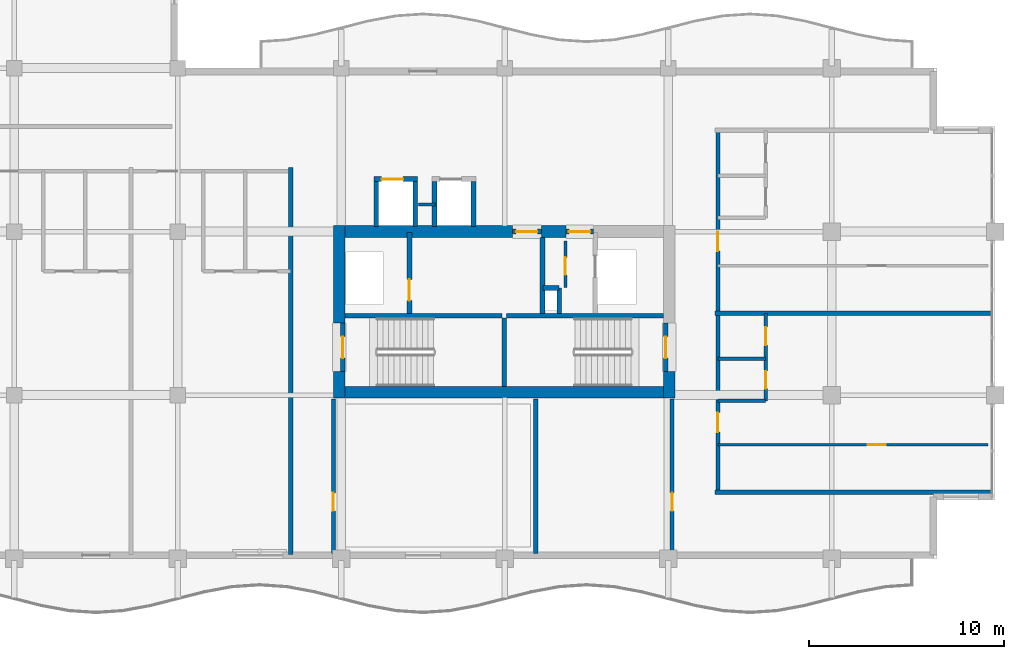
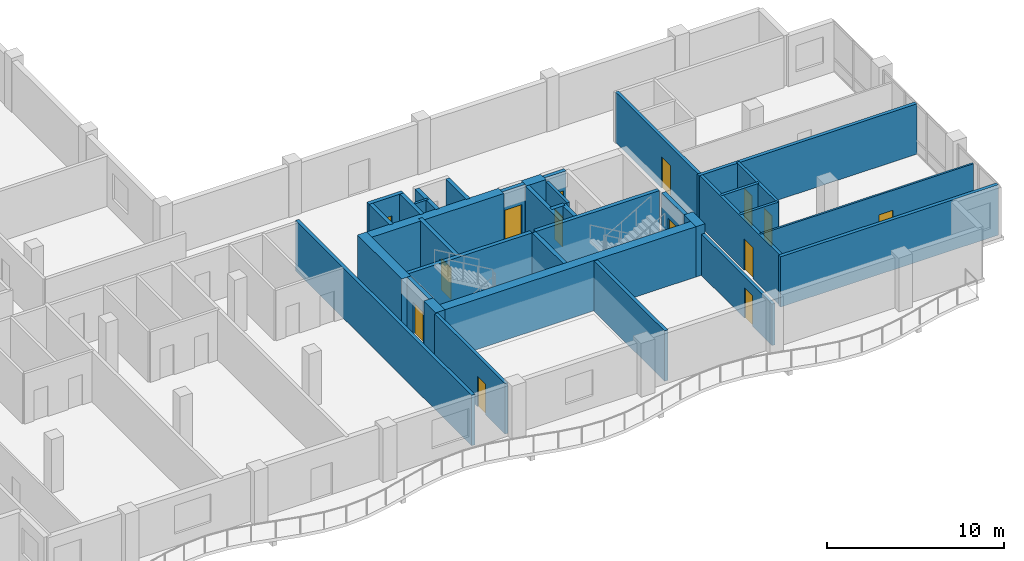
# One storey, part 7 of 16: 35 walls, 14 doors, 14 openings.
"""IFC4 building model written with IfcOpenShell, lengths in metres."""

from ifc_helpers import new_model, si_unit, direction, frame, frame_2d, origin, place, context, subcontext, project, spatial, rectangle, extrude, material, layer, layer_set, type_object, element, fill, save


model = new_model("IFC4")

# Units and contexts
model_context = context("Model", 3, precision=1e-05, world=origin(), true_north=direction((0.0, 1.0)))
body_context = subcontext(model_context, "Body", "Model", "MODEL_VIEW")
ifc_project = project(units=[si_unit("LENGTHUNIT", "METRE"), si_unit("AREAUNIT", "SQUARE_METRE"), si_unit("VOLUMEUNIT", "CUBIC_METRE"), si_unit("PLANEANGLEUNIT", "RADIAN"), si_unit("MASSUNIT", "GRAM", prefix="KILO")], contexts=[model_context])

# Site, building, storey
site_placement = place(None, origin())
site = spatial("IfcSite", under=ifc_project, at=site_placement, CompositionType="ELEMENT")
building_placement = place(site_placement, origin())
building = spatial("IfcBuilding", under=site, at=building_placement, Name="Koriwani Terraces Tower", CompositionType="ELEMENT")
storey_placement = place(building_placement, frame((0.0, 0.0, 245.300048828125)))
storey = spatial("IfcBuildingStorey", under=building, at=storey_placement, Name="L60", CompositionType="ELEMENT", Elevation=245.300048828125)

# Walls
ifc_material_1 = material(Name="Concrete C60/75", Category="concrete")
ifc_layer_1 = layer(ifc_material_1, 0.60009765625, Name="Concrete C60/75")
ifc_layer_set_1 = layer_set([ifc_layer_1], Name="Concrete C60/75")
wall_type_1 = type_object("IfcWallType", Name="WALL_CORE_RC_600", PredefinedType="SHEAR", material=ifc_layer_set_1)
wall_1_placement = place(storey_placement, frame((41.89990234375, 16.64990234375, 0.0), z_axis=(0.0, 0.0, 1.0), x_axis=(0.0, 1.0, 0.0)))
element("IfcWall", 1, at=wall_1_placement, inside=storey, type_object=wall_type_1, Name="L60 East Split Core Shear Wall W1", PredefinedType="SHEAR", context=body_context, shape_type="SweptSolid", body=[
    extrude(rectangle(XDim=1.35009765625, YDim=0.60009765625, at=frame_2d((0.675048828125, 0.0))), origin(), (0.0, 0.0, 1.0), 3.469970703125),
])
wall_2_placement = place(storey_placement, frame((41.89990234375, 20.5, 0.0), z_axis=(0.0, 0.0, 1.0), x_axis=(0.0, 1.0, 0.0)))
element("IfcWall", 2, at=wall_2_placement, inside=storey, type_object=wall_type_1, Name="L60 East Split Core Shear Wall W2", PredefinedType="SHEAR", context=body_context, shape_type="SweptSolid", body=[
    extrude(rectangle(XDim=5.0, YDim=0.60009765625, at=frame_2d((2.5, 0.0))), origin(), (0.0, 0.0, 1.0), 3.469970703125),
])
wall_3_placement = place(storey_placement, frame((58.85009765625, 16.64990234375, 0.0), z_axis=(0.0, 0.0, 1.0), x_axis=(0.0, 1.0, 0.0)))
element("IfcWall", 3, at=wall_3_placement, inside=storey, type_object=wall_type_1, Name="L60 East Split Core Shear Wall E1", PredefinedType="SHEAR", context=body_context, shape_type="SweptSolid", body=[
    extrude(rectangle(XDim=1.35009765625, YDim=0.60009765625, at=frame_2d((0.675048828125, 0.0))), origin(), (0.0, 0.0, 1.0), 3.469970703125),
])
wall_4_placement = place(storey_placement, frame((42.199951171875, 16.949951171875, 0.0), z_axis=(0.0, 0.0, 1.0), x_axis=(1.0, 0.0, 0.0)))
element("IfcWall", 4, at=wall_4_placement, inside=storey, type_object=wall_type_1, Name="L60 East Split Core Shear Wall S1", PredefinedType="SHEAR", context=body_context, shape_type="SweptSolid", body=[
    extrude(rectangle(XDim=16.35009765625, YDim=0.60009765625, at=frame_2d((8.175048828125, 0.0))), origin(), (0.0, 0.0, 1.0), 3.469970703125),
])
wall_5_placement = place(storey_placement, frame((42.199951171875, 25.199951171875, 0.0), z_axis=(0.0, 0.0, 1.0), x_axis=(1.0, 0.0, 0.0)))
element("IfcWall", 5, at=wall_5_placement, inside=storey, type_object=wall_type_1, Name="L60 East Split Core Shear Wall N1", PredefinedType="SHEAR", context=body_context, shape_type="SweptSolid", body=[
    extrude(rectangle(XDim=8.60009765625, YDim=0.60009765625, at=frame_2d((4.300048828125, 0.0))), origin(), (0.0, 0.0, 1.0), 3.469970703125),
])
wall_6_placement = place(storey_placement, frame((52.280029296875, 25.199951171875, 0.0), z_axis=(0.0, 0.0, 1.0), x_axis=(1.0, 0.0, 0.0)))
element("IfcWall", 6, at=wall_6_placement, inside=storey, type_object=wall_type_1, Name="L60 East Split Core Shear Wall N2", PredefinedType="SHEAR", context=body_context, shape_type="SweptSolid", body=[
    extrude(rectangle(XDim=1.27001953125, YDim=0.60009765625, at=frame_2d((0.635009765625, 0.0))), origin(), (0.0, 0.0, 1.0), 3.469970703125),
])

# Wall, opening, door
ifc_material_2 = material(Name="Autoclaved Cellular Concrete Blockwork", Category="masonry")
ifc_layer_2 = layer(ifc_material_2, 0.199951171875, Name="Autoclaved Cellular Concrete Blockwork")
ifc_layer_set_2 = layer_set([ifc_layer_2], Name="Autoclaved Cellular Concrete Blockwork")
wall_type_2 = type_object("IfcWallType", Name="WALL_CORRIDOR_200", PredefinedType="PARTITIONING", material=ifc_layer_set_2)
wall_7_placement = place(storey_placement, frame((41.60009765625, 8.64990234375, 0.0), z_axis=(0.0, 0.0, 1.0), x_axis=(0.0, 1.0, 0.0)))
wall_7 = element("IfcWall", 7, at=wall_7_placement, inside=storey, type_object=wall_type_2, Name="L60 Interior Wall WRZ4-EW-L60", PredefinedType="PARTITIONING", context=body_context, shape_type="SweptSolid", body=[
    extrude(rectangle(XDim=7.9501953125, YDim=0.199951171875, at=frame_2d((3.97509765625, 0.0))), origin(), (0.0, 0.0, 1.0), 3.469970703125),
])
opening_1_placement = place(wall_7_placement, frame((2.199951171875, 0.0, 0.0)))
opening_1 = element("IfcOpeningElement", 8, at=opening_1_placement, cuts=wall_7, Name="Opening D-06", PredefinedType="OPENING", context=body_context, shape_type="SweptSolid", body=[
    extrude(rectangle(XDim=0.919921875, YDim=2.10009765625, at=frame_2d((0.4599609375, 1.050048828125))), frame((0.0, 0.10986328125, 0.0), z_axis=(0.0, -1.0, 0.0), x_axis=(1.0, 0.0, 0.0)), (0.0, 0.0, 1.0), 0.219970703125),
])
ifc_material_3 = material(Name="Architectural Oak Fire Door", Category="wood")
door_type_1 = type_object("IfcDoorType", Name="DOOR_ROOM_INT_920X2100", OperationType="NOTDEFINED", PredefinedType="DOOR", material=ifc_material_3)
door_1_placement = place(opening_1_placement, origin())
door_1 = element("IfcDoor", 9, at=door_1_placement, inside=storey, type_object=door_type_1, Name="L60 Resident Library Study Door", OperationType="SINGLE_SWING_LEFT", OverallHeight=2.10009765625, OverallWidth=0.919921875, PredefinedType="DOOR", context=body_context, shape_type="SweptSolid", body=[
    extrude(rectangle(XDim=0.919921875, YDim=2.10009765625, at=frame_2d((0.4599609375, 1.050048828125))), frame((0.0, 0.02490234375, 0.0), z_axis=(0.0, -1.0, 0.0), x_axis=(1.0, 0.0, 0.0)), (0.0, 0.0, 1.0), 0.050048828125),
])
fill(opening_1, door_1)

wall_8_placement = place(storey_placement, frame((59.0, 8.64990234375, 0.0), z_axis=(0.0, 0.0, 1.0), x_axis=(0.0, 1.0, 0.0)))
wall_8 = element("IfcWall", 10, at=wall_8_placement, inside=storey, type_object=wall_type_2, Name="L60 Interior Wall WRZ4-EE-L60", PredefinedType="PARTITIONING", context=body_context, shape_type="SweptSolid", body=[
    extrude(rectangle(XDim=7.9501953125, YDim=0.199951171875, at=frame_2d((3.97509765625, 0.0))), origin(), (0.0, 0.0, 1.0), 2.85888671875),
])
opening_2_placement = place(wall_8_placement, frame((2.199951171875, 0.0, 0.0)))
opening_2 = element("IfcOpeningElement", 11, at=opening_2_placement, cuts=wall_8, Name="Opening D-06", PredefinedType="OPENING", context=body_context, shape_type="SweptSolid", body=[
    extrude(rectangle(XDim=0.919921875, YDim=2.10009765625, at=frame_2d((0.4599609375, 1.050048828125))), frame((0.0, 0.10986328125, 0.0), z_axis=(0.0, -1.0, 0.0), x_axis=(1.0, 0.0, 0.0)), (0.0, 0.0, 1.0), 0.219970703125),
])
door_2_placement = place(opening_2_placement, origin())
door_2 = element("IfcDoor", 12, at=door_2_placement, inside=storey, type_object=door_type_1, Name="L60 Resident Laundry Room Door", OperationType="SINGLE_SWING_RIGHT", OverallHeight=2.10009765625, OverallWidth=0.919921875, PredefinedType="DOOR", context=body_context, shape_type="SweptSolid", body=[
    extrude(rectangle(XDim=0.919921875, YDim=2.10009765625, at=frame_2d((0.4599609375, 1.050048828125))), frame((0.0, 0.02490234375, 0.0), z_axis=(0.0, -1.0, 0.0), x_axis=(1.0, 0.0, 0.0)), (0.0, 0.0, 1.0), 0.050048828125),
])
fill(opening_2, door_2)

# Wall, openings, doors
wall_9_placement = place(storey_placement, frame((61.35009765625, 11.800048828125, 0.0), z_axis=(0.0, 0.0, 1.0), x_axis=(0.0, 1.0, 0.0)))
wall_9 = element("IfcWall", 13, at=wall_9_placement, inside=storey, type_object=wall_type_2, Name="L60 Interior Wall WRCOR-L60-ETE-0", PredefinedType="PARTITIONING", context=body_context, shape_type="SweptSolid", body=[
    extrude(rectangle(XDim=18.599853515625, YDim=0.199951171875, at=frame_2d((9.2998046875, 0.0))), origin(), (0.0, 0.0, 1.0), 3.469970703125),
])
opening_3_placement = place(wall_9_placement, frame((3.094970703125, 0.0, 0.0)))
opening_3 = element("IfcOpeningElement", 14, at=opening_3_placement, cuts=wall_9, Name="Opening D-05", PredefinedType="OPENING", context=body_context, shape_type="SweptSolid", body=[
    extrude(rectangle(XDim=1.0, YDim=2.14990234375, at=frame_2d((0.5, 1.074951171875))), frame((0.0, 0.10986328125, 0.0), z_axis=(0.0, -1.0, 0.0), x_axis=(1.0, 0.0, 0.0)), (0.0, 0.0, 1.0), 0.219970703125),
])
opening_4_placement = place(wall_9_placement, frame((12.39501953125, 0.0, 0.0)))
opening_4 = element("IfcOpeningElement", 15, at=opening_4_placement, cuts=wall_9, Name="Opening D-05", PredefinedType="OPENING", context=body_context, shape_type="SweptSolid", body=[
    extrude(rectangle(XDim=1.0, YDim=2.14990234375, at=frame_2d((0.5, 1.074951171875))), frame((0.0, 0.10986328125, 0.0), z_axis=(0.0, -1.0, 0.0), x_axis=(1.0, 0.0, 0.0)), (0.0, 0.0, 1.0), 0.219970703125),
])
door_type_2 = type_object("IfcDoorType", Name="DOOR_SUITE_ENTRY_1000X2150", OperationType="NOTDEFINED", PredefinedType="DOOR", material=ifc_material_3)
door_3_placement = place(opening_3_placement, origin())
door_3 = element("IfcDoor", 16, at=door_3_placement, inside=storey, type_object=door_type_2, Name="Apartment 60ETE1 Entrance Door", OperationType="SINGLE_SWING_LEFT", OverallHeight=2.14990234375, OverallWidth=1.0, PredefinedType="DOOR", context=body_context, shape_type="SweptSolid", body=[
    extrude(rectangle(XDim=1.0, YDim=2.14990234375, at=frame_2d((0.5, 1.074951171875))), frame((0.0, 0.02490234375, 0.0), z_axis=(0.0, -1.0, 0.0), x_axis=(1.0, 0.0, 0.0)), (0.0, 0.0, 1.0), 0.050048828125),
])
fill(opening_3, door_3)
door_4_placement = place(opening_4_placement, origin())
door_4 = element("IfcDoor", 17, at=door_4_placement, inside=storey, type_object=door_type_2, Name="Apartment 60ETE2 Entrance Door", OperationType="SINGLE_SWING_LEFT", OverallHeight=2.14990234375, OverallWidth=1.0, PredefinedType="DOOR", context=body_context, shape_type="SweptSolid", body=[
    extrude(rectangle(XDim=1.0, YDim=2.14990234375, at=frame_2d((0.5, 1.074951171875))), frame((0.0, 0.02490234375, 0.0), z_axis=(0.0, -1.0, 0.0), x_axis=(1.0, 0.0, 0.0)), (0.0, 0.0, 1.0), 0.050048828125),
])
fill(opening_4, door_4)

# Walls
ifc_layer_3 = layer(ifc_material_2, 0.219970703125, Name="Autoclaved Cellular Concrete Blockwork")
ifc_layer_set_3 = layer_set([ifc_layer_3], Name="Autoclaved Cellular Concrete Blockwork")
wall_type_3 = type_object("IfcWallType", Name="WALL_DEMISING_220", PredefinedType="PARTITIONING", material=ifc_layer_set_3)
wall_10_placement = place(storey_placement, frame((52.0, 8.64990234375, 0.0), z_axis=(0.0, 0.0, 1.0), x_axis=(0.0, 1.0, 0.0)))
element("IfcWall", 18, at=wall_10_placement, inside=storey, type_object=wall_type_3, Name="L60 Interior Wall WRZ4-EM-L60", PredefinedType="PARTITIONING", context=body_context, shape_type="SweptSolid", body=[
    extrude(rectangle(XDim=7.9501953125, YDim=0.219970703125, at=frame_2d((3.97509765625, 0.0))), origin(), (0.0, 0.0, 1.0), 3.469970703125),
])
wall_11_placement = place(storey_placement, frame((39.39990234375, 8.60009765625, 0.0), z_axis=(0.0, 0.0, 1.0), x_axis=(0.0, 1.0, 0.0)))
element("IfcWall", 19, at=wall_11_placement, inside=storey, type_object=wall_type_3, Name="L60 Interior Wall WRDEME-L60-SW", PredefinedType="PARTITIONING", context=body_context, shape_type="SweptSolid", body=[
    extrude(rectangle(XDim=19.8798828125, YDim=0.219970703125, at=frame_2d((9.93994140625, 0.0))), origin(), (0.0, 0.0, 1.0), 3.469970703125),
])
for number, where, z_axis, x_axis, name in (
    (20, (61.199951171875, 11.800048828125, 0.0), (0.0, 0.0, 1.0), (1.0, 0.0, 0.0), "L60 Interior Wall WRDEM-L60-ETE-0"),
    (21, (61.199951171875, 21.0, 0.0), (0.0, 0.0, 1.0), (1.0, 0.0, 0.0), "L60 Interior Wall WRDEM-L60-ETE-1"),
):
    element("IfcWall", number, at=place(storey_placement, frame(where, z_axis=z_axis, x_axis=x_axis)), inside=storey, type_object=wall_type_3, Name=name, PredefinedType="PARTITIONING", context=body_context, shape_type="SweptSolid", body=[
        extrude(rectangle(XDim=14.199951171875, YDim=0.219970703125, at=frame_2d((7.10009765625, 0.0))), origin(), (0.0, 0.0, 1.0), 3.469970703125),
    ])

# Wall, opening, door
ifc_material_4 = material(Name="Fire-Rated Acoustic Gypsum Partition", Category="masonry")
ifc_layer_4 = layer(ifc_material_4, 0.125, Name="Fire-Rated Acoustic Gypsum Partition")
ifc_layer_set_4 = layer_set([ifc_layer_4], Name="Fire-Rated Acoustic Gypsum Partition")
wall_type_4 = type_object("IfcWallType", Name="WALL_INT_125", PredefinedType="PARTITIONING", material=ifc_layer_set_4)
wall_12_placement = place(storey_placement, frame((61.35009765625, 14.25, 0.0), z_axis=(0.0, 0.0, 1.0), x_axis=(1.0, 0.0, 0.0)))
wall_12 = element("IfcWall", 22, at=wall_12_placement, inside=storey, type_object=wall_type_4, Name="L60 Interior Wall WRBED1-L60-ETE-0", PredefinedType="PARTITIONING", context=body_context, shape_type="SweptSolid", body=[
    extrude(rectangle(XDim=13.869873046875, YDim=0.125, at=frame_2d((6.93505859375, 0.0))), origin(), (0.0, 0.0, 1.0), 3.469970703125),
])
opening_5_placement = place(wall_12_placement, frame((7.699951171875, 0.0, 0.0)))
opening_5 = element("IfcOpeningElement", 23, at=opening_5_placement, cuts=wall_12, Name="Opening D-06", PredefinedType="OPENING", context=body_context, shape_type="SweptSolid", body=[
    extrude(rectangle(XDim=0.919921875, YDim=2.10009765625, at=frame_2d((0.4599609375, 1.050048828125))), frame((0.0, 0.072509765625, 0.0), z_axis=(0.0, -1.0, 0.0), x_axis=(1.0, 0.0, 0.0)), (0.0, 0.0, 1.0), 0.14501953125),
])
door_5_placement = place(opening_5_placement, origin())
door_5 = element("IfcDoor", 24, at=door_5_placement, inside=storey, type_object=door_type_1, Name="Apartment 60ETE1 Master Bedroom Door", OperationType="SINGLE_SWING_RIGHT", OverallHeight=2.10009765625, OverallWidth=0.919921875, PredefinedType="DOOR", context=body_context, shape_type="SweptSolid", body=[
    extrude(rectangle(XDim=0.919921875, YDim=2.10009765625, at=frame_2d((0.4599609375, 1.050048828125))), frame((0.0, 0.02490234375, 0.0), z_axis=(0.0, -1.0, 0.0), x_axis=(1.0, 0.0, 0.0)), (0.0, 0.0, 1.0), 0.050048828125),
])
fill(opening_5, door_5)

# Wall, openings, doors
ifc_layer_5 = layer(ifc_material_4, 0.179931640625, Name="Fire-Rated Acoustic Gypsum Partition")
ifc_layer_set_5 = layer_set([ifc_layer_5], Name="Fire-Rated Acoustic Gypsum Partition")
wall_type_5 = type_object("IfcWallType", Name="WALL_PLUMBING_180", PredefinedType="PLUMBINGWALL", material=ifc_layer_set_5)
wall_13_placement = place(storey_placement, frame((63.800048828125, 16.5, 0.0), z_axis=(0.0, 0.0, 1.0), x_axis=(0.0, 1.0, 0.0)))
wall_13 = element("IfcWall", 25, at=wall_13_placement, inside=storey, type_object=wall_type_5, Name="L60 Interior Wall WRSVC-L60-ETE-0", PredefinedType="PLUMBINGWALL", context=body_context, shape_type="SweptSolid", body=[
    extrude(rectangle(XDim=4.5, YDim=0.179931640625, at=frame_2d((2.25, 0.0))), origin(), (0.0, 0.0, 1.0), 3.469970703125),
])
opening_6_placement = place(wall_13_placement, frame((0.6298828125, 0.0, 0.0)))
opening_6 = element("IfcOpeningElement", 26, at=opening_6_placement, cuts=wall_13, Name="Opening D-07", PredefinedType="OPENING", context=body_context, shape_type="SweptSolid", body=[
    extrude(rectangle(XDim=0.89990234375, YDim=2.10009765625, at=frame_2d((0.449951171875, 1.050048828125))), frame((0.0, 0.10009765625, 0.0), z_axis=(0.0, -1.0, 0.0), x_axis=(1.0, 0.0, 0.0)), (0.0, 0.0, 1.0), 0.199951171875),
])
opening_7_placement = place(wall_13_placement, frame((2.8701171875, 0.0, 0.0)))
opening_7 = element("IfcOpeningElement", 27, at=opening_7_placement, cuts=wall_13, Name="Opening D-06", PredefinedType="OPENING", context=body_context, shape_type="SweptSolid", body=[
    extrude(rectangle(XDim=0.919921875, YDim=2.10009765625, at=frame_2d((0.4599609375, 1.050048828125))), frame((0.0, 0.10009765625, 0.0), z_axis=(0.0, -1.0, 0.0), x_axis=(1.0, 0.0, 0.0)), (0.0, 0.0, 1.0), 0.199951171875),
])
door_type_3 = type_object("IfcDoorType", Name="DOOR_BATH_INT_900X2100", OperationType="NOTDEFINED", PredefinedType="DOOR", material=ifc_material_3)
door_6_placement = place(opening_6_placement, origin())
door_6 = element("IfcDoor", 28, at=door_6_placement, inside=storey, type_object=door_type_3, Name="Apartment 60ETE1 Bathroom Door", OperationType="SINGLE_SWING_RIGHT", OverallHeight=2.10009765625, OverallWidth=0.89990234375, PredefinedType="DOOR", context=body_context, shape_type="SweptSolid", body=[
    extrude(rectangle(XDim=0.89990234375, YDim=2.10009765625, at=frame_2d((0.449951171875, 1.050048828125))), frame((0.0, 0.02490234375, 0.0), z_axis=(0.0, -1.0, 0.0), x_axis=(1.0, 0.0, 0.0)), (0.0, 0.0, 1.0), 0.050048828125),
])
fill(opening_6, door_6)
door_7_placement = place(opening_7_placement, origin())
door_7 = element("IfcDoor", 29, at=door_7_placement, inside=storey, type_object=door_type_1, Name="Apartment 60ETE1 Kitchen Door", OperationType="SINGLE_SWING_LEFT", OverallHeight=2.10009765625, OverallWidth=0.919921875, PredefinedType="DOOR", context=body_context, shape_type="SweptSolid", body=[
    extrude(rectangle(XDim=0.919921875, YDim=2.10009765625, at=frame_2d((0.4599609375, 1.050048828125))), frame((0.0, 0.02490234375, 0.0), z_axis=(0.0, -1.0, 0.0), x_axis=(1.0, 0.0, 0.0)), (0.0, 0.0, 1.0), 0.050048828125),
])
fill(opening_7, door_7)

# Walls
for number, where, z_axis, x_axis, name in (
    (30, (61.35009765625, 16.5, 0.0), (0.0, 0.0, 1.0), (1.0, 0.0, 0.0), "L60 Interior Wall WRSVCS-L60-ETE-0"),
    (31, (61.35009765625, 18.659912109375, 0.0), (0.0, 0.0, 1.0), (1.0, 0.0, 0.0), "L60 Interior Wall WRSVCM-L60-ETE-0"),
):
    element("IfcWall", number, at=place(storey_placement, frame(where, z_axis=z_axis, x_axis=x_axis)), inside=storey, type_object=wall_type_5, Name=name, PredefinedType="PLUMBINGWALL", context=body_context, shape_type="SweptSolid", body=[
        extrude(rectangle(XDim=2.449951171875, YDim=0.179931640625, at=frame_2d((1.22509765625, 0.0))), origin(), (0.0, 0.0, 1.0), 3.469970703125),
    ])
ifc_material_5 = material(Name="Concrete C40/50", Category="concrete")
ifc_layer_6 = layer(ifc_material_5, 0.25, Name="Concrete C40/50")
ifc_layer_set_6 = layer_set([ifc_layer_6], Name="Concrete C40/50")
wall_type_6 = type_object("IfcWallType", Name="WALL_SHAFT_RATED_250", PredefinedType="SOLIDWALL", material=ifc_layer_set_6)
for number, where, z_axis, x_axis, name in (
    (32, (42.199951171875, 20.875, 0.0), (0.0, 0.0, 1.0), (1.0, 0.0, 0.0), "L60 East Split Core Web Wall MID1"),
    (33, (50.5, 20.875, 0.0), (0.0, 0.0, 1.0), (1.0, 0.0, 0.0), "L60 East Split Core Web Wall MID2"),
):
    element("IfcWall", number, at=place(storey_placement, frame(where, z_axis=z_axis, x_axis=x_axis)), inside=storey, type_object=wall_type_6, Name=name, PredefinedType="SOLIDWALL", context=body_context, shape_type="SweptSolid", body=[
        extrude(rectangle(XDim=8.050048828125, YDim=0.25, at=frame_2d((4.02490234375, 0.0))), origin(), (0.0, 0.0, 1.0), 3.469970703125),
    ])
wall_14_placement = place(storey_placement, frame((50.375, 17.25, 0.0), z_axis=(0.0, 0.0, 1.0), x_axis=(0.0, 1.0, 0.0)))
element("IfcWall", 34, at=wall_14_placement, inside=storey, type_object=wall_type_6, Name="L60 East Split Core Stair Dividing Wall", PredefinedType="SOLIDWALL", context=body_context, shape_type="SweptSolid", body=[
    extrude(rectangle(XDim=3.5, YDim=0.25, at=frame_2d((1.75, 0.0))), origin(), (0.0, 0.0, 1.0), 3.469970703125),
])

# Wall, opening, door
wall_15_placement = place(storey_placement, frame((42.074951171875, 18.0, 0.0), z_axis=(0.0, 0.0, 1.0), x_axis=(0.0, 1.0, 0.0)))
wall_15 = element("IfcWall", 35, at=wall_15_placement, inside=storey, type_object=wall_type_6, Name="L60 Interior Wall WIN-CE-L60-STW", PredefinedType="SOLIDWALL", context=body_context, shape_type="SweptSolid", body=[
    extrude(rectangle(XDim=2.5, YDim=0.25, at=frame_2d((1.25, 0.0))), origin(), (0.0, 0.0, 1.0), 3.469970703125),
])
opening_8_placement = place(wall_15_placement, frame((0.699951171875, 0.0, 0.0)))
opening_8 = element("IfcOpeningElement", 36, at=opening_8_placement, cuts=wall_15, Name="Opening D-03", PredefinedType="OPENING", context=body_context, shape_type="SweptSolid", body=[
    extrude(rectangle(XDim=1.10009765625, YDim=2.14990234375, at=frame_2d((0.550048828125, 1.074951171875))), frame((0.0, 0.135009765625, 0.0), z_axis=(0.0, -1.0, 0.0), x_axis=(1.0, 0.0, 0.0)), (0.0, 0.0, 1.0), 0.27001953125),
])
ifc_material_6 = material(Name="Steel ASTM A572 Grade 50", Category="steel")
door_type_4 = type_object("IfcDoorType", Name="DOOR_STAIR_FIRE_1100X2150", OperationType="NOTDEFINED", PredefinedType="DOOR", material=ifc_material_6)
door_8_placement = place(opening_8_placement, origin())
door_8 = element("IfcDoor", 37, at=door_8_placement, inside=storey, type_object=door_type_4, Name="L60 Exit Stair ST-E1 Door", OperationType="SINGLE_SWING_LEFT", OverallHeight=2.14990234375, OverallWidth=1.10009765625, PredefinedType="DOOR", context=body_context, shape_type="SweptSolid", body=[
    extrude(rectangle(XDim=1.10009765625, YDim=2.14990234375, at=frame_2d((0.550048828125, 1.074951171875))), frame((0.0, 0.02490234375, 0.0), z_axis=(0.0, -1.0, 0.0), x_axis=(1.0, 0.0, 0.0)), (0.0, 0.0, 1.0), 0.050048828125),
])
fill(opening_8, door_8)

wall_16_placement = place(storey_placement, frame((58.675048828125, 18.0, 0.0), z_axis=(0.0, 0.0, 1.0), x_axis=(0.0, 1.0, 0.0)))
wall_16 = element("IfcWall", 38, at=wall_16_placement, inside=storey, type_object=wall_type_6, Name="L60 Interior Wall WIN-CE-L60-STE", PredefinedType="SOLIDWALL", context=body_context, shape_type="SweptSolid", body=[
    extrude(rectangle(XDim=2.5, YDim=0.25, at=frame_2d((1.25, 0.0))), origin(), (0.0, 0.0, 1.0), 3.469970703125),
])
opening_9_placement = place(wall_16_placement, frame((0.699951171875, 0.0, 0.0)))
opening_9 = element("IfcOpeningElement", 39, at=opening_9_placement, cuts=wall_16, Name="Opening D-03", PredefinedType="OPENING", context=body_context, shape_type="SweptSolid", body=[
    extrude(rectangle(XDim=1.10009765625, YDim=2.14990234375, at=frame_2d((0.550048828125, 1.074951171875))), frame((0.0, 0.135009765625, 0.0), z_axis=(0.0, -1.0, 0.0), x_axis=(1.0, 0.0, 0.0)), (0.0, 0.0, 1.0), 0.27001953125),
])
door_9_placement = place(opening_9_placement, origin())
door_9 = element("IfcDoor", 40, at=door_9_placement, inside=storey, type_object=door_type_4, Name="L60 Exit Stair ST-E2 Door", OperationType="SINGLE_SWING_RIGHT", OverallHeight=2.14990234375, OverallWidth=1.10009765625, PredefinedType="DOOR", context=body_context, shape_type="SweptSolid", body=[
    extrude(rectangle(XDim=1.10009765625, YDim=2.14990234375, at=frame_2d((0.550048828125, 1.074951171875))), frame((0.0, 0.02490234375, 0.0), z_axis=(0.0, -1.0, 0.0), x_axis=(1.0, 0.0, 0.0)), (0.0, 0.0, 1.0), 0.050048828125),
])
fill(opening_9, door_9)

wall_17_placement = place(storey_placement, frame((45.5, 21.0, 0.0), z_axis=(0.0, 0.0, 1.0), x_axis=(0.0, 1.0, 0.0)))
wall_17 = element("IfcWall", 41, at=wall_17_placement, inside=storey, type_object=wall_type_6, Name="L60 Interior Wall WIN-CE-L60-FE", PredefinedType="SOLIDWALL", context=body_context, shape_type="SweptSolid", body=[
    extrude(rectangle(XDim=4.14990234375, YDim=0.25, at=frame_2d((2.074951171875, 0.0))), origin(), (0.0, 0.0, 1.0), 3.469970703125),
])
opening_10_placement = place(wall_17_placement, frame((0.64990234375, 0.0, 0.0)))
opening_10 = element("IfcOpeningElement", 42, at=opening_10_placement, cuts=wall_17, Name="Opening LD-01", PredefinedType="OPENING", context=body_context, shape_type="SweptSolid", body=[
    extrude(rectangle(XDim=1.10009765625, YDim=2.14990234375, at=frame_2d((0.550048828125, 1.074951171875))), frame((0.0, 0.135009765625, 0.0), z_axis=(0.0, -1.0, 0.0), x_axis=(1.0, 0.0, 0.0)), (0.0, 0.0, 1.0), 0.27001953125),
])
door_type_5 = type_object("IfcDoorType", Name="DOOR_LIFT_LANDING_1100X2200", OperationType="NOTDEFINED", PredefinedType="DOOR", material=ifc_material_6)
door_10_placement = place(opening_10_placement, origin())
door_10 = element("IfcDoor", 43, at=door_10_placement, inside=storey, type_object=door_type_5, Name="L60 Firefighting Lift FE-02 Landing Door", OperationType="SLIDING_TO_LEFT", OverallHeight=2.14990234375, OverallWidth=1.10009765625, PredefinedType="DOOR", context=body_context, shape_type="SweptSolid", body=[
    extrude(rectangle(XDim=1.10009765625, YDim=2.14990234375, at=frame_2d((0.550048828125, 1.074951171875))), frame((0.0, 0.02490234375, 0.0), z_axis=(0.0, -1.0, 0.0), x_axis=(1.0, 0.0, 0.0)), (0.0, 0.0, 1.0), 0.050048828125),
])
fill(opening_10, door_10)

wall_18_placement = place(storey_placement, frame((50.800048828125, 25.199951171875, 0.0), z_axis=(0.0, 0.0, 1.0), x_axis=(1.0, 0.0, 0.0)))
wall_18 = element("IfcWall", 44, at=wall_18_placement, inside=storey, type_object=wall_type_6, Name="L60 Interior Wall WIN-CE-L60-NP", PredefinedType="SOLIDWALL", context=body_context, shape_type="SweptSolid", body=[
    extrude(rectangle(XDim=1.47998046875, YDim=0.25, at=frame_2d((0.739990234375, 0.0))), origin(), (0.0, 0.0, 1.0), 3.469970703125),
])
opening_11_placement = place(wall_18_placement, frame((0.179931640625, 0.0, 0.0)))
opening_11 = element("IfcOpeningElement", 45, at=opening_11_placement, cuts=wall_18, Name="Opening D-03", PredefinedType="OPENING", context=body_context, shape_type="SweptSolid", body=[
    extrude(rectangle(XDim=1.10009765625, YDim=2.14990234375, at=frame_2d((0.550048828125, 1.074951171875))), frame((0.0, 0.135009765625, 0.0), z_axis=(0.0, -1.0, 0.0), x_axis=(1.0, 0.0, 0.0)), (0.0, 0.0, 1.0), 0.27001953125),
])
door_11_placement = place(opening_11_placement, origin())
door_11 = element("IfcDoor", 46, at=door_11_placement, inside=storey, type_object=door_type_4, Name="L60 East Firefighting Lobby Door", OperationType="SINGLE_SWING_LEFT", OverallHeight=2.14990234375, OverallWidth=1.10009765625, PredefinedType="DOOR", context=body_context, shape_type="SweptSolid", body=[
    extrude(rectangle(XDim=1.10009765625, YDim=2.14990234375, at=frame_2d((0.550048828125, 1.074951171875))), frame((0.0, 0.02490234375, 0.0), z_axis=(0.0, -1.0, 0.0), x_axis=(1.0, 0.0, 0.0)), (0.0, 0.0, 1.0), 0.050048828125),
])
fill(opening_11, door_11)

# Wall
wall_19_placement = place(storey_placement, frame((52.340087890625, 21.0, 0.0), z_axis=(0.0, 0.0, 1.0), x_axis=(0.0, 1.0, 0.0)))
element("IfcWall", 47, at=wall_19_placement, inside=storey, type_object=wall_type_6, Name="L60 Interior Wall WIN-CE-L60-FFE", PredefinedType="SOLIDWALL", context=body_context, shape_type="SweptSolid", body=[
    extrude(rectangle(XDim=3.89990234375, YDim=0.25, at=frame_2d((1.949951171875, 0.0))), origin(), (0.0, 0.0, 1.0), 3.469970703125),
])

# Wall, opening, door
wall_20_placement = place(storey_placement, frame((53.550048828125, 25.199951171875, 0.0), z_axis=(0.0, 0.0, 1.0), x_axis=(1.0, 0.0, 0.0)))
wall_20 = element("IfcWall", 48, at=wall_20_placement, inside=storey, type_object=wall_type_6, Name="L60 Interior Wall WIN-CE-L60-NP2", PredefinedType="SOLIDWALL", context=body_context, shape_type="SweptSolid", body=[
    extrude(rectangle(XDim=1.39990234375, YDim=0.25, at=frame_2d((0.699951171875, 0.0))), origin(), (0.0, 0.0, 1.0), 3.469970703125),
])
opening_12_placement = place(wall_20_placement, frame((0.14990234375, 0.0, 0.0)))
opening_12 = element("IfcOpeningElement", 49, at=opening_12_placement, cuts=wall_20, Name="Opening D-03", PredefinedType="OPENING", context=body_context, shape_type="SweptSolid", body=[
    extrude(rectangle(XDim=1.10009765625, YDim=2.14990234375, at=frame_2d((0.550048828125, 1.074951171875))), frame((0.0, 0.135009765625, 0.0), z_axis=(0.0, -1.0, 0.0), x_axis=(1.0, 0.0, 0.0)), (0.0, 0.0, 1.0), 0.27001953125),
])
door_12_placement = place(opening_12_placement, origin())
door_12 = element("IfcDoor", 50, at=door_12_placement, inside=storey, type_object=door_type_4, Name="L60 East Goods Lift Lobby Door", OperationType="SINGLE_SWING_RIGHT", OverallHeight=2.14990234375, OverallWidth=1.10009765625, PredefinedType="DOOR", context=body_context, shape_type="SweptSolid", body=[
    extrude(rectangle(XDim=1.10009765625, YDim=2.14990234375, at=frame_2d((0.550048828125, 1.074951171875))), frame((0.0, 0.02490234375, 0.0), z_axis=(0.0, -1.0, 0.0), x_axis=(1.0, 0.0, 0.0)), (0.0, 0.0, 1.0), 0.050048828125),
])
fill(opening_12, door_12)

# Walls
wall_21_placement = place(storey_placement, frame((53.199951171875, 21.0, 0.0), z_axis=(0.0, 0.0, 1.0), x_axis=(0.0, 1.0, 0.0)))
element("IfcWall", 51, at=wall_21_placement, inside=storey, type_object=wall_type_6, Name="L60 Interior Wall WIN-CE-L60-RS1", PredefinedType="SOLIDWALL", context=body_context, shape_type="SweptSolid", body=[
    extrude(rectangle(XDim=1.300048828125, YDim=0.25, at=frame_2d((0.64990234375, 0.0))), origin(), (0.0, 0.0, 1.0), 3.469970703125),
])
wall_22_placement = place(storey_placement, frame((52.360107421875, 22.300048828125, 0.0), z_axis=(0.0, 0.0, 1.0), x_axis=(1.0, 0.0, 0.0)))
element("IfcWall", 52, at=wall_22_placement, inside=storey, type_object=wall_type_6, Name="L60 Interior Wall WIN-CE-L60-RS2", PredefinedType="SOLIDWALL", context=body_context, shape_type="SweptSolid", body=[
    extrude(rectangle(XDim=0.83984375, YDim=0.25, at=frame_2d((0.419921875, 0.0))), origin(), (0.0, 0.0, 1.0), 3.469970703125),
])

# Wall, opening, door
wall_23_placement = place(storey_placement, frame((43.675048828125, 27.89990234375, 0.0), z_axis=(0.0, 0.0, 1.0), x_axis=(1.0, 0.0, 0.0)))
wall_23 = element("IfcWall", 53, at=wall_23_placement, inside=storey, type_object=wall_type_6, Name="L60 Interior Wall WIN-LF-PE-H3-L60-F", PredefinedType="SOLIDWALL", context=body_context, shape_type="SweptSolid", body=[
    extrude(rectangle(XDim=2.25, YDim=0.25, at=frame_2d((1.125, 0.0))), origin(), (0.0, 0.0, 1.0), 3.469970703125),
])
opening_13_placement = place(wall_23_placement, frame((0.39990234375, 0.0, 0.0)))
opening_13 = element("IfcOpeningElement", 54, at=opening_13_placement, cuts=wall_23, Name="Opening LD-01", PredefinedType="OPENING", context=body_context, shape_type="SweptSolid", body=[
    extrude(rectangle(XDim=1.10009765625, YDim=2.14990234375, at=frame_2d((0.550048828125, 1.074951171875))), frame((0.0, 0.135009765625, 0.0), z_axis=(0.0, -1.0, 0.0), x_axis=(1.0, 0.0, 0.0)), (0.0, 0.0, 1.0), 0.27001953125),
])
door_13_placement = place(opening_13_placement, origin())
door_13 = element("IfcDoor", 55, at=door_13_placement, inside=storey, type_object=door_type_5, Name="L60 Passenger Lift PE-H3 Landing Door", OperationType="SLIDING_TO_LEFT", OverallHeight=2.14990234375, OverallWidth=1.10009765625, PredefinedType="DOOR", context=body_context, shape_type="SweptSolid", body=[
    extrude(rectangle(XDim=1.10009765625, YDim=2.14990234375, at=frame_2d((0.550048828125, 1.074951171875))), frame((0.0, 0.02490234375, 0.0), z_axis=(0.0, -1.0, 0.0), x_axis=(1.0, 0.0, 0.0)), (0.0, 0.0, 1.0), 0.050048828125),
])
fill(opening_13, door_13)

# Walls
for number, where, z_axis, x_axis, name in (
    (56, (43.800048828125, 25.449951171875, 0.0), (0.0, 0.0, 1.0), (0.0, 1.0, 0.0), "L60 Interior Wall WIN-LF-PE-H3-L60-W"),
    (57, (45.800048828125, 25.449951171875, 0.0), (0.0, 0.0, 1.0), (0.0, 1.0, 0.0), "L60 Interior Wall WIN-LF-PE-H3-L60-E"),
    (58, (46.800048828125, 25.449951171875, 0.0), (0.0, 0.0, 1.0), (0.0, 1.0, 0.0), "L60 Interior Wall WIN-LF-PE-H4-L60-W"),
    (59, (48.800048828125, 25.449951171875, 0.0), (0.0, 0.0, 1.0), (0.0, 1.0, 0.0), "L60 Interior Wall WIN-LF-PE-H4-L60-E"),
):
    element("IfcWall", number, at=place(storey_placement, frame(where, z_axis=z_axis, x_axis=x_axis)), inside=storey, type_object=wall_type_6, Name=name, PredefinedType="SOLIDWALL", context=body_context, shape_type="SweptSolid", body=[
        extrude(rectangle(XDim=2.324951171875, YDim=0.25, at=frame_2d((1.16259765625, 0.0))), origin(), (0.0, 0.0, 1.0), 3.469970703125),
    ])

# Wall, opening, door
ifc_layer_7 = layer(ifc_material_4, 0.159912109375, Name="Fire-Rated Acoustic Gypsum Partition")
ifc_layer_set_7 = layer_set([ifc_layer_7], Name="Fire-Rated Acoustic Gypsum Partition")
wall_type_7 = type_object("IfcWallType", Name="WALL_SUITE_160", PredefinedType="PARTITIONING", material=ifc_layer_set_7)
wall_24_placement = place(storey_placement, frame((53.52001953125, 22.320068359375, 0.0), z_axis=(0.0, 0.0, 1.0), x_axis=(0.0, 1.0, 0.0)))
wall_24 = element("IfcWall", 60, at=wall_24_placement, inside=storey, type_object=wall_type_7, Name="L60 Interior Wall WIN-CE-L60-SV0", PredefinedType="PARTITIONING", context=body_context, shape_type="SweptSolid", body=[
    extrude(rectangle(XDim=2.39990234375, YDim=0.159912109375, at=frame_2d((1.199951171875, 0.0))), origin(), (0.0, 0.0, 1.0), 3.469970703125),
])
opening_14_placement = place(wall_24_placement, frame((0.64990234375, 0.0, 0.0)))
opening_14 = element("IfcOpeningElement", 61, at=opening_14_placement, cuts=wall_24, Name="Opening D-07", PredefinedType="OPENING", context=body_context, shape_type="SweptSolid", body=[
    extrude(rectangle(XDim=0.89990234375, YDim=2.10009765625, at=frame_2d((0.449951171875, 1.050048828125))), frame((0.0, 0.08984375, 0.0), z_axis=(0.0, -1.0, 0.0), x_axis=(1.0, 0.0, 0.0)), (0.0, 0.0, 1.0), 0.179931640625),
])
door_14_placement = place(opening_14_placement, origin())
door_14 = element("IfcDoor", 62, at=door_14_placement, inside=storey, type_object=door_type_3, Name="L60 East Electrical Switch Room Door", OperationType="SINGLE_SWING_LEFT", OverallHeight=2.10009765625, OverallWidth=0.89990234375, PredefinedType="DOOR", context=body_context, shape_type="SweptSolid", body=[
    extrude(rectangle(XDim=0.89990234375, YDim=2.10009765625, at=frame_2d((0.449951171875, 1.050048828125))), frame((0.0, 0.02490234375, 0.0), z_axis=(0.0, -1.0, 0.0), x_axis=(1.0, 0.0, 0.0)), (0.0, 0.0, 1.0), 0.050048828125),
])
fill(opening_14, door_14)

# Wall
wall_25_placement = place(storey_placement, frame((45.9599609375, 26.60009765625, 0.0), z_axis=(0.0, 0.0, 1.0), x_axis=(1.0, 0.0, 0.0)))
element("IfcWall", 63, at=wall_25_placement, inside=storey, type_object=wall_type_7, Name="L60 Interior Wall WIN-LF-PEH34-MID-L60", PredefinedType="PARTITIONING", context=body_context, shape_type="SweptSolid", body=[
    extrude(rectangle(XDim=0.880126953125, YDim=0.159912109375, at=frame_2d((0.43994140625, 0.0))), origin(), (0.0, 0.0, 1.0), 3.469970703125),
])

save(model, "model.ifc")
